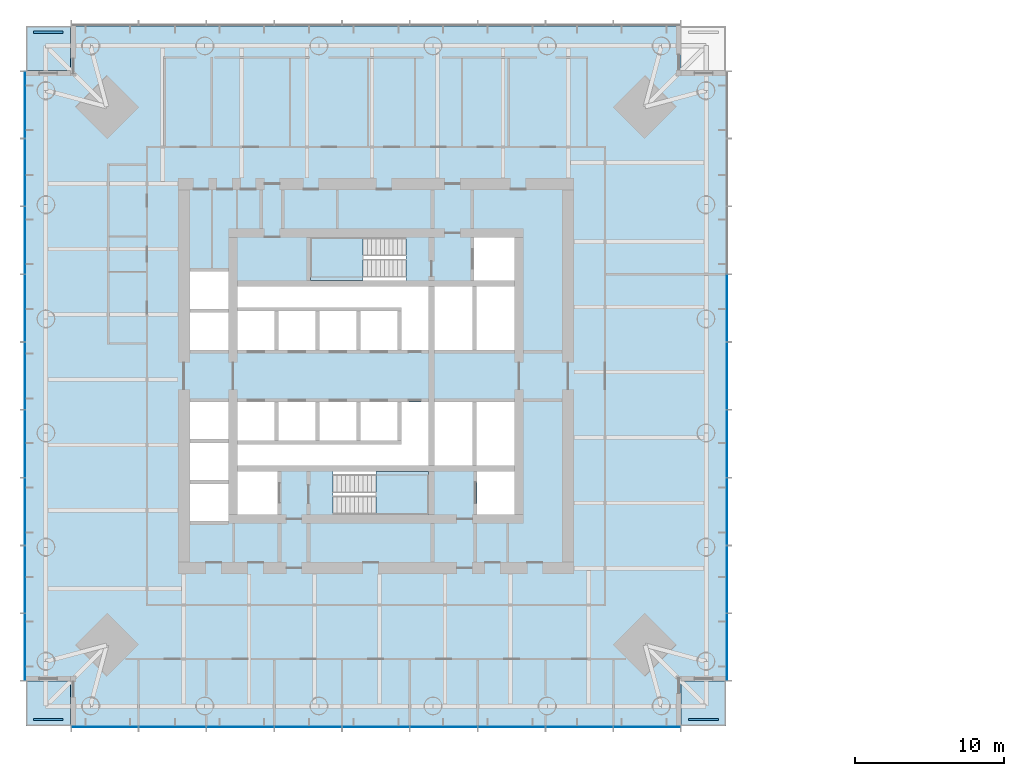
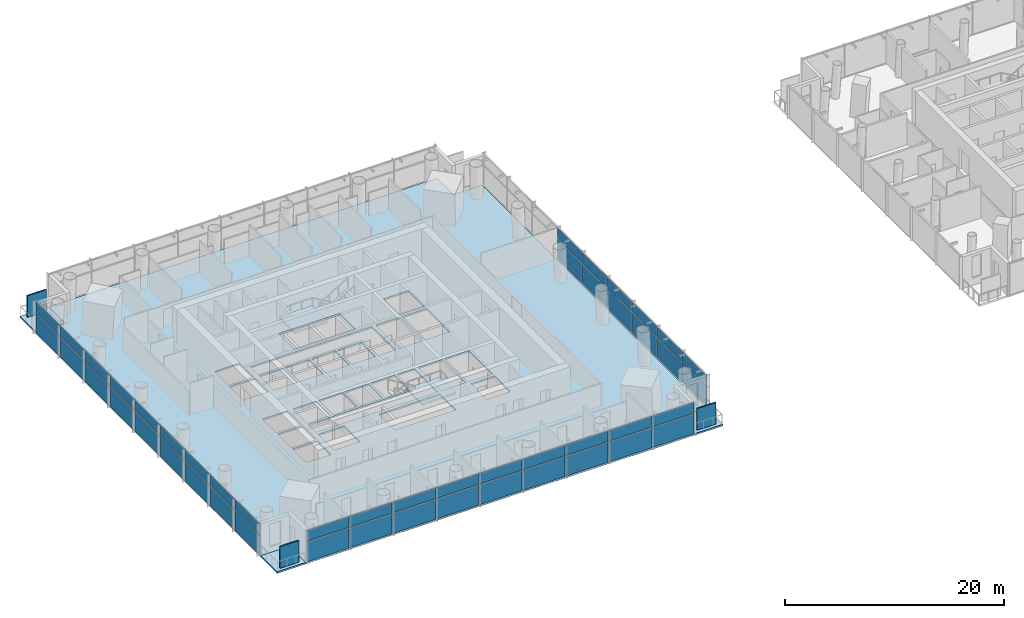
# One storey, part 9 of 24: 51 plates, 6 slabs, 8 elements without a shape of their own.
"""IFC4 building model written with IfcOpenShell, lengths in metres."""

from ifc_helpers import new_model, si_unit, direction, frame, origin, origin_2d, place, context, subcontext, project, spatial, polyline, rectangle, outline, extrude, material, layer, layer_set, type_object, element, aggregate, save


model = new_model("IFC4")

# Units and contexts
model_context = context("Model", 3, precision=1e-05, world=origin(), true_north=direction((0.0, 1.0)))
body_context = subcontext(model_context, "Body", "Model", "MODEL_VIEW")
ifc_project = project(units=[si_unit("LENGTHUNIT", "METRE"), si_unit("AREAUNIT", "SQUARE_METRE"), si_unit("VOLUMEUNIT", "CUBIC_METRE"), si_unit("PLANEANGLEUNIT", "RADIAN"), si_unit("MASSUNIT", "GRAM", prefix="KILO")], contexts=[model_context])

# Site, building, storey
site_placement = place(None, origin())
site = spatial("IfcSite", under=ifc_project, at=site_placement, CompositionType="ELEMENT")
building_placement = place(site_placement, origin())
building = spatial("IfcBuilding", under=site, at=building_placement, Name="Ostroluk Exchange", CompositionType="ELEMENT")
storey_placement = place(building_placement, frame((0.0, 0.0, 78.0)))
storey = spatial("IfcBuildingStorey", under=building, at=storey_placement, Name="L19", CompositionType="ELEMENT", Elevation=78.0)

# Slabs
ifc_material_1 = material(Name="Concrete C35/45", Category="concrete")
ifc_layer_1 = layer(ifc_material_1, 0.179931640625)
ifc_layer_set_1 = layer_set([ifc_layer_1], Name="Balcony slab 180")
slab_type_1 = type_object("IfcSlabType", Name="Balcony slab 180", PredefinedType="USERDEFINED", material=ifc_layer_set_1)
slab_1_placement = place(storey_placement, frame((0.0, 0.0, -0.179931640625)))
element("IfcSlab", 1, at=slab_1_placement, inside=storey, type_object=slab_type_1, Name="Office tower SE corner balcony L19", ObjectType="BALCONY", PredefinedType="USERDEFINED", context=body_context, shape_type="SweptSolid", body=[
    extrude(outline(polyline([(65.5, 22.5), (68.5, 22.5), (68.5, 25.5), (65.5, 25.5), (65.5, 22.5)])), origin(), (0.0, 0.0, 1.0), 0.179931640625),
])
slab_2_placement = place(storey_placement, frame((0.0, 0.0, -0.179931640625)))
element("IfcSlab", 2, at=slab_2_placement, inside=storey, type_object=slab_type_1, Name="Office tower NW corner balcony L19", ObjectType="BALCONY", PredefinedType="USERDEFINED", context=body_context, shape_type="SweptSolid", body=[
    extrude(outline(polyline([(21.5, 66.5), (24.5, 66.5), (24.5, 69.5), (21.5, 69.5), (21.5, 66.5)])), origin(), (0.0, 0.0, 1.0), 0.179931640625),
])
slab_3_placement = place(storey_placement, frame((0.0, 0.0, -0.179931640625)))
element("IfcSlab", 3, at=slab_3_placement, inside=storey, type_object=slab_type_1, Name="Office tower SW corner balcony L19", ObjectType="BALCONY", PredefinedType="USERDEFINED", context=body_context, shape_type="SweptSolid", body=[
    extrude(outline(polyline([(21.5, 22.5), (24.5, 22.5), (24.5, 25.5), (21.5, 25.5), (21.5, 22.5)])), origin(), (0.0, 0.0, 1.0), 0.179931640625),
])

# Curtain wall, plates
ifc_material_2 = material(Name="Laminated clear glass", Category="glass")
curtain_wall_type = type_object("IfcCurtainWallType", Name="Office tower facade", PredefinedType="USERDEFINED", material=ifc_material_2)
curtain_wall_1_placement = place(storey_placement, origin())
curtain_wall_1 = element("IfcCurtainWall", 4, at=curtain_wall_1_placement, inside=storey, type_object=curtain_wall_type, Name="Office tower south spandrel L19", ObjectType="UNITISED CURTAIN WALL", PredefinedType="USERDEFINED")
ifc_material_3 = material(Name="Insulated aluminium spandrel", Category="aluminium")
ifc_layer_2 = layer(ifc_material_3, 0.0439453125)
ifc_layer_set_2 = layer_set([ifc_layer_2], Name="Insulated spandrel panel 44")
plate_type_1 = type_object("IfcPlateType", Name="Insulated spandrel panel 44", PredefinedType="CURTAIN_PANEL", material=ifc_layer_set_2)
plate_1_placement = place(storey_placement, frame((26.7978515625, 22.425048828125, 2.3935546875), z_axis=(0.0, 0.0, 1.0), x_axis=(1.0, 0.0, 0.0)))
plate_1 = element("IfcPlate", 5, at=plate_1_placement, type_object=plate_type_1, Name="CW-O1 panel 1.1", PredefinedType="CURTAIN_PANEL", context=body_context, shape_type="SweptSolid", body=[
    extrude(rectangle(XDim=4.435546875, YDim=0.0439453125, at=origin_2d()), origin(), (0.0, 0.0, 1.0), 1.176513671875),
])
plate_2_placement = place(storey_placement, frame((31.333251953125, 22.425048828125, 2.3935546875), z_axis=(0.0, 0.0, 1.0), x_axis=(1.0, 0.0, 0.0)))
plate_2 = element("IfcPlate", 6, at=plate_2_placement, type_object=plate_type_1, Name="CW-O1 panel 2.1", PredefinedType="CURTAIN_PANEL", context=body_context, shape_type="SweptSolid", body=[
    extrude(rectangle(XDim=4.4755859375, YDim=0.0439453125, at=origin_2d()), origin(), (0.0, 0.0, 1.0), 1.176513671875),
])
plate_3_placement = place(storey_placement, frame((35.888916015625, 22.425048828125, 2.3935546875), z_axis=(0.0, 0.0, 1.0), x_axis=(1.0, 0.0, 0.0)))
plate_3 = element("IfcPlate", 7, at=plate_3_placement, type_object=plate_type_1, Name="CW-O1 panel 3.1", PredefinedType="CURTAIN_PANEL", context=body_context, shape_type="SweptSolid", body=[
    extrude(rectangle(XDim=4.4755859375, YDim=0.0439453125, at=origin_2d()), origin(), (0.0, 0.0, 1.0), 1.176513671875),
])
plate_4_placement = place(storey_placement, frame((40.4443359375, 22.425048828125, 2.3935546875), z_axis=(0.0, 0.0, 1.0), x_axis=(1.0, 0.0, 0.0)))
plate_4 = element("IfcPlate", 8, at=plate_4_placement, type_object=plate_type_1, Name="CW-O1 panel 4.1", PredefinedType="CURTAIN_PANEL", context=body_context, shape_type="SweptSolid", body=[
    extrude(rectangle(XDim=4.4755859375, YDim=0.0439453125, at=origin_2d()), origin(), (0.0, 0.0, 1.0), 1.176513671875),
])
plate_5_placement = place(storey_placement, frame((45.0, 22.425048828125, 2.3935546875), z_axis=(0.0, 0.0, 1.0), x_axis=(1.0, 0.0, 0.0)))
plate_5 = element("IfcPlate", 9, at=plate_5_placement, type_object=plate_type_1, Name="CW-O1 panel 5.1", PredefinedType="CURTAIN_PANEL", context=body_context, shape_type="SweptSolid", body=[
    extrude(rectangle(XDim=4.4755859375, YDim=0.0439453125, at=origin_2d()), origin(), (0.0, 0.0, 1.0), 1.176513671875),
])
plate_6_placement = place(storey_placement, frame((49.5556640625, 22.425048828125, 2.3935546875), z_axis=(0.0, 0.0, 1.0), x_axis=(1.0, 0.0, 0.0)))
plate_6 = element("IfcPlate", 10, at=plate_6_placement, type_object=plate_type_1, Name="CW-O1 panel 6.1", PredefinedType="CURTAIN_PANEL", context=body_context, shape_type="SweptSolid", body=[
    extrude(rectangle(XDim=4.4755859375, YDim=0.0439453125, at=origin_2d()), origin(), (0.0, 0.0, 1.0), 1.176513671875),
])
plate_7_placement = place(storey_placement, frame((54.111083984375, 22.425048828125, 2.3935546875), z_axis=(0.0, 0.0, 1.0), x_axis=(1.0, 0.0, 0.0)))
plate_7 = element("IfcPlate", 11, at=plate_7_placement, type_object=plate_type_1, Name="CW-O1 panel 7.1", PredefinedType="CURTAIN_PANEL", context=body_context, shape_type="SweptSolid", body=[
    extrude(rectangle(XDim=4.4755859375, YDim=0.0439453125, at=origin_2d()), origin(), (0.0, 0.0, 1.0), 1.176513671875),
])
plate_8_placement = place(storey_placement, frame((58.666748046875, 22.425048828125, 2.3935546875), z_axis=(0.0, 0.0, 1.0), x_axis=(1.0, 0.0, 0.0)))
plate_8 = element("IfcPlate", 12, at=plate_8_placement, type_object=plate_type_1, Name="CW-O1 panel 8.1", PredefinedType="CURTAIN_PANEL", context=body_context, shape_type="SweptSolid", body=[
    extrude(rectangle(XDim=4.4755859375, YDim=0.0439453125, at=origin_2d()), origin(), (0.0, 0.0, 1.0), 1.176513671875),
])
plate_9_placement = place(storey_placement, frame((63.2021484375, 22.425048828125, 2.3935546875), z_axis=(0.0, 0.0, 1.0), x_axis=(1.0, 0.0, 0.0)))
plate_9 = element("IfcPlate", 13, at=plate_9_placement, type_object=plate_type_1, Name="CW-O1 panel 9.1", PredefinedType="CURTAIN_PANEL", context=body_context, shape_type="SweptSolid", body=[
    extrude(rectangle(XDim=4.435546875, YDim=0.0439453125, at=origin_2d()), origin(), (0.0, 0.0, 1.0), 1.176513671875),
])
aggregate(curtain_wall_1, [plate_1, plate_2, plate_3, plate_4, plate_5, plate_6, plate_7, plate_8, plate_9])

curtain_wall_2_placement = place(storey_placement, origin())
curtain_wall_2 = element("IfcCurtainWall", 14, at=curtain_wall_2_placement, inside=storey, type_object=curtain_wall_type, Name="Office tower east spandrel L19", ObjectType="UNITISED CURTAIN WALL", PredefinedType="USERDEFINED")
plate_10_placement = place(storey_placement, frame((68.574951171875, 27.7978515625, 2.3935546875), z_axis=(0.0, 0.0, 1.0), x_axis=(0.0, 1.0, 0.0)))
plate_10 = element("IfcPlate", 15, at=plate_10_placement, type_object=plate_type_1, Name="CW-O1 panel 1.1", PredefinedType="CURTAIN_PANEL", context=body_context, shape_type="SweptSolid", body=[
    extrude(rectangle(XDim=4.435546875, YDim=0.0439453125, at=origin_2d()), origin(), (0.0, 0.0, 1.0), 1.176513671875),
])
plate_11_placement = place(storey_placement, frame((68.574951171875, 32.333251953125, 2.3935546875), z_axis=(0.0, 0.0, 1.0), x_axis=(0.0, 1.0, 0.0)))
plate_11 = element("IfcPlate", 16, at=plate_11_placement, type_object=plate_type_1, Name="CW-O1 panel 2.1", PredefinedType="CURTAIN_PANEL", context=body_context, shape_type="SweptSolid", body=[
    extrude(rectangle(XDim=4.4755859375, YDim=0.0439453125, at=origin_2d()), origin(), (0.0, 0.0, 1.0), 1.176513671875),
])
plate_12_placement = place(storey_placement, frame((68.574951171875, 36.888916015625, 2.3935546875), z_axis=(0.0, 0.0, 1.0), x_axis=(0.0, 1.0, 0.0)))
plate_12 = element("IfcPlate", 17, at=plate_12_placement, type_object=plate_type_1, Name="CW-O1 panel 3.1", PredefinedType="CURTAIN_PANEL", context=body_context, shape_type="SweptSolid", body=[
    extrude(rectangle(XDim=4.4755859375, YDim=0.0439453125, at=origin_2d()), origin(), (0.0, 0.0, 1.0), 1.176513671875),
])
plate_13_placement = place(storey_placement, frame((68.574951171875, 41.4443359375, 2.3935546875), z_axis=(0.0, 0.0, 1.0), x_axis=(0.0, 1.0, 0.0)))
plate_13 = element("IfcPlate", 18, at=plate_13_placement, type_object=plate_type_1, Name="CW-O1 panel 4.1", PredefinedType="CURTAIN_PANEL", context=body_context, shape_type="SweptSolid", body=[
    extrude(rectangle(XDim=4.4755859375, YDim=0.0439453125, at=origin_2d()), origin(), (0.0, 0.0, 1.0), 1.176513671875),
])
plate_14_placement = place(storey_placement, frame((68.574951171875, 46.0, 2.3935546875), z_axis=(0.0, 0.0, 1.0), x_axis=(0.0, 1.0, 0.0)))
plate_14 = element("IfcPlate", 19, at=plate_14_placement, type_object=plate_type_1, Name="CW-O1 panel 5.1", PredefinedType="CURTAIN_PANEL", context=body_context, shape_type="SweptSolid", body=[
    extrude(rectangle(XDim=4.4755859375, YDim=0.0439453125, at=origin_2d()), origin(), (0.0, 0.0, 1.0), 1.176513671875),
])
plate_15_placement = place(storey_placement, frame((68.574951171875, 50.5556640625, 2.3935546875), z_axis=(0.0, 0.0, 1.0), x_axis=(0.0, 1.0, 0.0)))
plate_15 = element("IfcPlate", 20, at=plate_15_placement, type_object=plate_type_1, Name="CW-O1 panel 6.1", PredefinedType="CURTAIN_PANEL", context=body_context, shape_type="SweptSolid", body=[
    extrude(rectangle(XDim=4.4755859375, YDim=0.0439453125, at=origin_2d()), origin(), (0.0, 0.0, 1.0), 1.176513671875),
])
aggregate(curtain_wall_2, [plate_10, plate_11, plate_12, plate_13, plate_14, plate_15])

curtain_wall_3_placement = place(storey_placement, origin())
curtain_wall_3 = element("IfcCurtainWall", 21, at=curtain_wall_3_placement, inside=storey, type_object=curtain_wall_type, Name="Office tower west spandrel L19", ObjectType="UNITISED CURTAIN WALL", PredefinedType="USERDEFINED")
plate_16_placement = place(storey_placement, frame((21.425048828125, 64.2021484375, 2.3935546875), z_axis=(0.0, 0.0, 1.0), x_axis=(0.0, -1.0, 0.0)))
plate_16 = element("IfcPlate", 22, at=plate_16_placement, type_object=plate_type_1, Name="CW-O1 panel 1.1", PredefinedType="CURTAIN_PANEL", context=body_context, shape_type="SweptSolid", body=[
    extrude(rectangle(XDim=4.435546875, YDim=0.0439453125, at=origin_2d()), origin(), (0.0, 0.0, 1.0), 1.176513671875),
])
plate_17_placement = place(storey_placement, frame((21.425048828125, 59.666748046875, 2.3935546875), z_axis=(0.0, 0.0, 1.0), x_axis=(0.0, -1.0, 0.0)))
plate_17 = element("IfcPlate", 23, at=plate_17_placement, type_object=plate_type_1, Name="CW-O1 panel 2.1", PredefinedType="CURTAIN_PANEL", context=body_context, shape_type="SweptSolid", body=[
    extrude(rectangle(XDim=4.4755859375, YDim=0.0439453125, at=origin_2d()), origin(), (0.0, 0.0, 1.0), 1.176513671875),
])
plate_18_placement = place(storey_placement, frame((21.425048828125, 55.111083984375, 2.3935546875), z_axis=(0.0, 0.0, 1.0), x_axis=(0.0, -1.0, 0.0)))
plate_18 = element("IfcPlate", 24, at=plate_18_placement, type_object=plate_type_1, Name="CW-O1 panel 3.1", PredefinedType="CURTAIN_PANEL", context=body_context, shape_type="SweptSolid", body=[
    extrude(rectangle(XDim=4.4755859375, YDim=0.0439453125, at=origin_2d()), origin(), (0.0, 0.0, 1.0), 1.176513671875),
])
plate_19_placement = place(storey_placement, frame((21.425048828125, 50.5556640625, 2.3935546875), z_axis=(0.0, 0.0, 1.0), x_axis=(0.0, -1.0, 0.0)))
plate_19 = element("IfcPlate", 25, at=plate_19_placement, type_object=plate_type_1, Name="CW-O1 panel 4.1", PredefinedType="CURTAIN_PANEL", context=body_context, shape_type="SweptSolid", body=[
    extrude(rectangle(XDim=4.4755859375, YDim=0.0439453125, at=origin_2d()), origin(), (0.0, 0.0, 1.0), 1.176513671875),
])
plate_20_placement = place(storey_placement, frame((21.425048828125, 46.0, 2.3935546875), z_axis=(0.0, 0.0, 1.0), x_axis=(0.0, -1.0, 0.0)))
plate_20 = element("IfcPlate", 26, at=plate_20_placement, type_object=plate_type_1, Name="CW-O1 panel 5.1", PredefinedType="CURTAIN_PANEL", context=body_context, shape_type="SweptSolid", body=[
    extrude(rectangle(XDim=4.4755859375, YDim=0.0439453125, at=origin_2d()), origin(), (0.0, 0.0, 1.0), 1.176513671875),
])
plate_21_placement = place(storey_placement, frame((21.425048828125, 41.4443359375, 2.3935546875), z_axis=(0.0, 0.0, 1.0), x_axis=(0.0, -1.0, 0.0)))
plate_21 = element("IfcPlate", 27, at=plate_21_placement, type_object=plate_type_1, Name="CW-O1 panel 6.1", PredefinedType="CURTAIN_PANEL", context=body_context, shape_type="SweptSolid", body=[
    extrude(rectangle(XDim=4.4755859375, YDim=0.0439453125, at=origin_2d()), origin(), (0.0, 0.0, 1.0), 1.176513671875),
])
plate_22_placement = place(storey_placement, frame((21.425048828125, 36.888916015625, 2.3935546875), z_axis=(0.0, 0.0, 1.0), x_axis=(0.0, -1.0, 0.0)))
plate_22 = element("IfcPlate", 28, at=plate_22_placement, type_object=plate_type_1, Name="CW-O1 panel 7.1", PredefinedType="CURTAIN_PANEL", context=body_context, shape_type="SweptSolid", body=[
    extrude(rectangle(XDim=4.4755859375, YDim=0.0439453125, at=origin_2d()), origin(), (0.0, 0.0, 1.0), 1.176513671875),
])
plate_23_placement = place(storey_placement, frame((21.425048828125, 32.333251953125, 2.3935546875), z_axis=(0.0, 0.0, 1.0), x_axis=(0.0, -1.0, 0.0)))
plate_23 = element("IfcPlate", 29, at=plate_23_placement, type_object=plate_type_1, Name="CW-O1 panel 8.1", PredefinedType="CURTAIN_PANEL", context=body_context, shape_type="SweptSolid", body=[
    extrude(rectangle(XDim=4.4755859375, YDim=0.0439453125, at=origin_2d()), origin(), (0.0, 0.0, 1.0), 1.176513671875),
])
plate_24_placement = place(storey_placement, frame((21.425048828125, 27.7978515625, 2.3935546875), z_axis=(0.0, 0.0, 1.0), x_axis=(0.0, -1.0, 0.0)))
plate_24 = element("IfcPlate", 30, at=plate_24_placement, type_object=plate_type_1, Name="CW-O1 panel 9.1", PredefinedType="CURTAIN_PANEL", context=body_context, shape_type="SweptSolid", body=[
    extrude(rectangle(XDim=4.435546875, YDim=0.0439453125, at=origin_2d()), origin(), (0.0, 0.0, 1.0), 1.176513671875),
])
aggregate(curtain_wall_3, [plate_16, plate_17, plate_18, plate_19, plate_20, plate_21, plate_22, plate_23, plate_24])

# Plates
ifc_material_4 = material(Name="Steel S355 trellis with planting", Category="steel")
ifc_layer_3 = layer(ifc_material_4, 0.14990234375)
ifc_layer_set_3 = layer_set([ifc_layer_3], Name="Planted screen 150")
plate_type_2 = type_object("IfcPlateType", Name="Planted screen 150", PredefinedType="USERDEFINED", material=ifc_layer_set_3)
for number, where, z_axis, x_axis, name in (
    (31, (67.0, 22.925048828125, 0.0), (0.0, 0.0, 1.0), (1.0, 0.0, 0.0), "Office tower SE planted screen L19"),
    (32, (23.0, 69.074951171875, 0.0), (0.0, 0.0, 1.0), (1.0, 0.0, 0.0), "Office tower NW planted screen L19"),
    (33, (23.0, 22.925048828125, 0.0), (0.0, 0.0, 1.0), (1.0, 0.0, 0.0), "Office tower SW planted screen L19"),
):
    element("IfcPlate", number, at=place(storey_placement, frame(where, z_axis=z_axis, x_axis=x_axis)), inside=storey, type_object=plate_type_2, Name=name, ObjectType="PLANTED SCREEN", PredefinedType="USERDEFINED", context=body_context, shape_type="SweptSolid", body=[
        extrude(rectangle(XDim=2.0, YDim=0.14990234375, at=origin_2d()), origin(), (0.0, 0.0, 1.0), 2.39990234375),
    ])

# Stair, slab
ifc_material_5 = material(Name="Concrete C30/37", Category="concrete")
stair_type = type_object("IfcStairType", Name="Exit stair half turn 3800", PredefinedType="HALF_TURN_STAIR", material=ifc_material_5)
stair_1_placement = place(storey_placement, origin())
stair_1 = element("IfcStair", 34, at=stair_1_placement, inside=storey, type_object=stair_type, Name="Stair T1-S1 L19", PredefinedType="HALF_TURN_STAIR")
ifc_material_6 = material(Name="Concrete C30/37", Category="concrete")
ifc_layer_4 = layer(ifc_material_6, 0.199951171875)
ifc_layer_set_4 = layer_set([ifc_layer_4], Name="Stair landing 200")
slab_type_2 = type_object("IfcSlabType", Name="Stair landing 200", PredefinedType="LANDING", material=ifc_layer_set_4)
slab_4_placement = place(storey_placement, frame((0.0, 0.0, 1.699951171875)))
slab_4 = element("IfcSlab", 35, at=slab_4_placement, type_object=slab_type_2, Name="T1-S1 landing 1", PredefinedType="LANDING", context=body_context, shape_type="SweptSolid", body=[
    extrude(outline(polyline([(45.0, 36.699951171875), (45.0, 39.60009765625), (48.530029296875, 39.60009765625), (48.530029296875, 36.699951171875), (45.0, 36.699951171875)])), origin(), (0.0, 0.0, 1.0), 0.199951171875),
])
aggregate(stair_1, [slab_4])

stair_2_placement = place(storey_placement, origin())
stair_2 = element("IfcStair", 36, at=stair_2_placement, inside=storey, type_object=stair_type, Name="Stair T1-S2 L19", PredefinedType="HALF_TURN_STAIR")
slab_5_placement = place(storey_placement, frame((0.0, 0.0, 1.699951171875)))
slab_5 = element("IfcSlab", 37, at=slab_5_placement, type_object=slab_type_2, Name="T1-S2 landing 1", PredefinedType="LANDING", context=body_context, shape_type="SweptSolid", body=[
    extrude(outline(polyline([(44.1298828125, 52.39990234375), (44.1298828125, 55.300048828125), (40.60009765625, 55.300048828125), (40.60009765625, 52.39990234375), (44.1298828125, 52.39990234375)])), origin(), (0.0, 0.0, 1.0), 0.199951171875),
])
aggregate(stair_2, [slab_5])

# Slab
ifc_material_7 = material(Name="Concrete C35/45", Category="concrete")
ifc_layer_5 = layer(ifc_material_7, 0.179931640625)
ifc_layer_set_5 = layer_set([ifc_layer_5], Name="Tower floor slab 180 composite")
slab_type_3 = type_object("IfcSlabType", Name="Tower floor slab 180 composite", PredefinedType="FLOOR", material=ifc_layer_set_5)
slab_6_placement = place(storey_placement, frame((0.0, 0.0, -0.179931640625)))
element("IfcSlab", 38, at=slab_6_placement, inside=storey, type_object=slab_type_3, Name="Office tower floor slab L19", PredefinedType="FLOOR", context=body_context, shape_type="SweptSolid", body=[
    extrude(outline(polyline([(24.5, 22.5), (65.5, 22.5), (65.5, 25.5), (68.5, 25.5), (68.5, 66.5), (65.5, 66.5), (65.5, 69.5), (24.5, 69.5), (24.5, 66.5), (21.5, 66.5), (21.5, 25.5), (24.5, 25.5), (24.5, 22.5)]), holes=[polyline([(35.699951171875, 36.699951171875), (38.39990234375, 36.699951171875), (38.39990234375, 39.60009765625), (35.699951171875, 39.60009765625), (35.699951171875, 36.699951171875)]), polyline([(42.110107421875, 36.699951171875), (48.530029296875, 36.699951171875), (48.530029296875, 39.60009765625), (42.110107421875, 39.60009765625), (42.110107421875, 36.699951171875)]), polyline([(51.800048828125, 36.699951171875), (54.300048828125, 36.699951171875), (54.300048828125, 39.60009765625), (51.800048828125, 39.60009765625), (51.800048828125, 36.699951171875)]), polyline([(40.60009765625, 52.39990234375), (47.02001953125, 52.39990234375), (47.02001953125, 55.300048828125), (40.60009765625, 55.300048828125), (40.60009765625, 52.39990234375)]), polyline([(51.60009765625, 52.39990234375), (54.300048828125, 52.39990234375), (54.300048828125, 55.300048828125), (51.60009765625, 55.300048828125), (51.60009765625, 52.39990234375)]), polyline([(35.699951171875, 47.75), (38.199951171875, 47.75), (38.199951171875, 50.35009765625), (35.699951171875, 50.35009765625), (35.699951171875, 47.75)]), polyline([(38.449951171875, 47.75), (40.949951171875, 47.75), (40.949951171875, 50.35009765625), (38.449951171875, 50.35009765625), (38.449951171875, 47.75)]), polyline([(41.199951171875, 47.75), (43.699951171875, 47.75), (43.699951171875, 50.35009765625), (41.199951171875, 50.35009765625), (41.199951171875, 47.75)]), polyline([(43.949951171875, 47.75), (46.449951171875, 47.75), (46.449951171875, 50.35009765625), (43.949951171875, 50.35009765625), (43.949951171875, 47.75)]), polyline([(35.699951171875, 41.64990234375), (38.199951171875, 41.64990234375), (38.199951171875, 44.25), (35.699951171875, 44.25), (35.699951171875, 41.64990234375)]), polyline([(38.449951171875, 41.64990234375), (40.949951171875, 41.64990234375), (40.949951171875, 44.25), (38.449951171875, 44.25), (38.449951171875, 41.64990234375)]), polyline([(41.199951171875, 41.64990234375), (43.699951171875, 41.64990234375), (43.699951171875, 44.25), (41.199951171875, 44.25), (41.199951171875, 41.64990234375)]), polyline([(43.949951171875, 41.64990234375), (46.449951171875, 41.64990234375), (46.449951171875, 44.25), (43.949951171875, 44.25), (43.949951171875, 41.64990234375)]), polyline([(48.929931640625, 47.75), (51.489990234375, 47.75), (51.489990234375, 52.0), (48.929931640625, 52.0), (48.929931640625, 47.75)]), polyline([(51.739990234375, 47.75), (54.300048828125, 47.75), (54.300048828125, 52.0), (51.739990234375, 52.0), (51.739990234375, 47.75)]), polyline([(48.929931640625, 40.0), (51.489990234375, 40.0), (51.489990234375, 44.25), (48.929931640625, 44.25), (48.929931640625, 40.0)]), polyline([(51.739990234375, 40.0), (54.300048828125, 40.0), (54.300048828125, 44.25), (51.739990234375, 44.25), (51.739990234375, 40.0)]), polyline([(48.530029296875, 52.0), (48.530029296875, 47.75), (46.699951171875, 47.75), (46.699951171875, 50.60009765625), (35.699951171875, 50.60009765625), (35.699951171875, 52.0), (48.530029296875, 52.0)]), polyline([(35.699951171875, 40.0), (35.699951171875, 41.39990234375), (46.699951171875, 41.39990234375), (46.699951171875, 44.25), (48.530029296875, 44.25), (48.530029296875, 40.0), (35.699951171875, 40.0)]), polyline([(32.5, 36.25), (35.10009765625, 36.25), (35.10009765625, 38.75), (32.5, 38.75), (32.5, 36.25)]), polyline([(32.5, 39.0), (35.10009765625, 39.0), (35.10009765625, 41.5), (32.5, 41.5), (32.5, 39.0)]), polyline([(32.5, 41.75), (35.10009765625, 41.75), (35.10009765625, 44.25), (32.5, 44.25), (32.5, 41.75)]), polyline([(32.5, 47.75), (35.10009765625, 47.75), (35.10009765625, 50.25), (32.5, 50.25), (32.5, 47.75)]), polyline([(32.5, 50.5), (35.10009765625, 50.5), (35.10009765625, 53.0), (32.5, 53.0), (32.5, 50.5)])]), origin(), (0.0, 0.0, 1.0), 0.179931640625),
])

# Curtain wall, plates
curtain_wall_4_placement = place(storey_placement, origin())
curtain_wall_4 = element("IfcCurtainWall", 39, at=curtain_wall_4_placement, inside=storey, type_object=curtain_wall_type, Name="Office tower south facade L19", ObjectType="UNITISED CURTAIN WALL", PredefinedType="USERDEFINED")
ifc_material_8 = material(Name="Laminated clear glass", Category="glass")
ifc_layer_6 = layer(ifc_material_8, 0.0439453125)
ifc_layer_set_6 = layer_set([ifc_layer_6], Name="Triple laminated clear glazing 44")
plate_type_3 = type_object("IfcPlateType", Name="Triple laminated clear glazing 44", PredefinedType="CURTAIN_PANEL", material=ifc_layer_set_6)
plate_25_placement = place(storey_placement, frame((26.7978515625, 22.425048828125, 0.080078125), z_axis=(0.0, 0.0, 1.0), x_axis=(1.0, 0.0, 0.0)))
plate_25 = element("IfcPlate", 40, at=plate_25_placement, type_object=plate_type_3, Name="CW-O1 panel 1.1", PredefinedType="CURTAIN_PANEL", context=body_context, shape_type="SweptSolid", body=[
    extrude(rectangle(XDim=4.435546875, YDim=0.0439453125, at=origin_2d()), origin(), (0.0, 0.0, 1.0), 2.2333984375),
])
plate_26_placement = place(storey_placement, frame((31.333251953125, 22.425048828125, 0.080078125), z_axis=(0.0, 0.0, 1.0), x_axis=(1.0, 0.0, 0.0)))
plate_26 = element("IfcPlate", 41, at=plate_26_placement, type_object=plate_type_3, Name="CW-O1 panel 2.1", PredefinedType="CURTAIN_PANEL", context=body_context, shape_type="SweptSolid", body=[
    extrude(rectangle(XDim=4.4755859375, YDim=0.0439453125, at=origin_2d()), origin(), (0.0, 0.0, 1.0), 2.2333984375),
])
plate_27_placement = place(storey_placement, frame((35.888916015625, 22.425048828125, 0.080078125), z_axis=(0.0, 0.0, 1.0), x_axis=(1.0, 0.0, 0.0)))
plate_27 = element("IfcPlate", 42, at=plate_27_placement, type_object=plate_type_3, Name="CW-O1 panel 3.1", PredefinedType="CURTAIN_PANEL", context=body_context, shape_type="SweptSolid", body=[
    extrude(rectangle(XDim=4.4755859375, YDim=0.0439453125, at=origin_2d()), origin(), (0.0, 0.0, 1.0), 2.2333984375),
])
plate_28_placement = place(storey_placement, frame((40.4443359375, 22.425048828125, 0.080078125), z_axis=(0.0, 0.0, 1.0), x_axis=(1.0, 0.0, 0.0)))
plate_28 = element("IfcPlate", 43, at=plate_28_placement, type_object=plate_type_3, Name="CW-O1 panel 4.1", PredefinedType="CURTAIN_PANEL", context=body_context, shape_type="SweptSolid", body=[
    extrude(rectangle(XDim=4.4755859375, YDim=0.0439453125, at=origin_2d()), origin(), (0.0, 0.0, 1.0), 2.2333984375),
])
plate_29_placement = place(storey_placement, frame((45.0, 22.425048828125, 0.080078125), z_axis=(0.0, 0.0, 1.0), x_axis=(1.0, 0.0, 0.0)))
plate_29 = element("IfcPlate", 44, at=plate_29_placement, type_object=plate_type_3, Name="CW-O1 panel 5.1", PredefinedType="CURTAIN_PANEL", context=body_context, shape_type="SweptSolid", body=[
    extrude(rectangle(XDim=4.4755859375, YDim=0.0439453125, at=origin_2d()), origin(), (0.0, 0.0, 1.0), 2.2333984375),
])
plate_30_placement = place(storey_placement, frame((49.5556640625, 22.425048828125, 0.080078125), z_axis=(0.0, 0.0, 1.0), x_axis=(1.0, 0.0, 0.0)))
plate_30 = element("IfcPlate", 45, at=plate_30_placement, type_object=plate_type_3, Name="CW-O1 panel 6.1", PredefinedType="CURTAIN_PANEL", context=body_context, shape_type="SweptSolid", body=[
    extrude(rectangle(XDim=4.4755859375, YDim=0.0439453125, at=origin_2d()), origin(), (0.0, 0.0, 1.0), 2.2333984375),
])
plate_31_placement = place(storey_placement, frame((54.111083984375, 22.425048828125, 0.080078125), z_axis=(0.0, 0.0, 1.0), x_axis=(1.0, 0.0, 0.0)))
plate_31 = element("IfcPlate", 46, at=plate_31_placement, type_object=plate_type_3, Name="CW-O1 panel 7.1", PredefinedType="CURTAIN_PANEL", context=body_context, shape_type="SweptSolid", body=[
    extrude(rectangle(XDim=4.4755859375, YDim=0.0439453125, at=origin_2d()), origin(), (0.0, 0.0, 1.0), 2.2333984375),
])
plate_32_placement = place(storey_placement, frame((58.666748046875, 22.425048828125, 0.080078125), z_axis=(0.0, 0.0, 1.0), x_axis=(1.0, 0.0, 0.0)))
plate_32 = element("IfcPlate", 47, at=plate_32_placement, type_object=plate_type_3, Name="CW-O1 panel 8.1", PredefinedType="CURTAIN_PANEL", context=body_context, shape_type="SweptSolid", body=[
    extrude(rectangle(XDim=4.4755859375, YDim=0.0439453125, at=origin_2d()), origin(), (0.0, 0.0, 1.0), 2.2333984375),
])
plate_33_placement = place(storey_placement, frame((63.2021484375, 22.425048828125, 0.080078125), z_axis=(0.0, 0.0, 1.0), x_axis=(1.0, 0.0, 0.0)))
plate_33 = element("IfcPlate", 48, at=plate_33_placement, type_object=plate_type_3, Name="CW-O1 panel 9.1", PredefinedType="CURTAIN_PANEL", context=body_context, shape_type="SweptSolid", body=[
    extrude(rectangle(XDim=4.435546875, YDim=0.0439453125, at=origin_2d()), origin(), (0.0, 0.0, 1.0), 2.2333984375),
])
aggregate(curtain_wall_4, [plate_25, plate_26, plate_27, plate_28, plate_29, plate_30, plate_31, plate_32, plate_33])

curtain_wall_5_placement = place(storey_placement, origin())
curtain_wall_5 = element("IfcCurtainWall", 49, at=curtain_wall_5_placement, inside=storey, type_object=curtain_wall_type, Name="Office tower east facade L19", ObjectType="UNITISED CURTAIN WALL", PredefinedType="USERDEFINED")
plate_34_placement = place(storey_placement, frame((68.574951171875, 27.7978515625, 0.080078125), z_axis=(0.0, 0.0, 1.0), x_axis=(0.0, 1.0, 0.0)))
plate_34 = element("IfcPlate", 50, at=plate_34_placement, type_object=plate_type_3, Name="CW-O1 panel 1.1", PredefinedType="CURTAIN_PANEL", context=body_context, shape_type="SweptSolid", body=[
    extrude(rectangle(XDim=4.435546875, YDim=0.0439453125, at=origin_2d()), origin(), (0.0, 0.0, 1.0), 2.2333984375),
])
plate_35_placement = place(storey_placement, frame((68.574951171875, 32.333251953125, 0.080078125), z_axis=(0.0, 0.0, 1.0), x_axis=(0.0, 1.0, 0.0)))
plate_35 = element("IfcPlate", 51, at=plate_35_placement, type_object=plate_type_3, Name="CW-O1 panel 2.1", PredefinedType="CURTAIN_PANEL", context=body_context, shape_type="SweptSolid", body=[
    extrude(rectangle(XDim=4.4755859375, YDim=0.0439453125, at=origin_2d()), origin(), (0.0, 0.0, 1.0), 2.2333984375),
])
plate_36_placement = place(storey_placement, frame((68.574951171875, 36.888916015625, 0.080078125), z_axis=(0.0, 0.0, 1.0), x_axis=(0.0, 1.0, 0.0)))
plate_36 = element("IfcPlate", 52, at=plate_36_placement, type_object=plate_type_3, Name="CW-O1 panel 3.1", PredefinedType="CURTAIN_PANEL", context=body_context, shape_type="SweptSolid", body=[
    extrude(rectangle(XDim=4.4755859375, YDim=0.0439453125, at=origin_2d()), origin(), (0.0, 0.0, 1.0), 2.2333984375),
])
plate_37_placement = place(storey_placement, frame((68.574951171875, 41.4443359375, 0.080078125), z_axis=(0.0, 0.0, 1.0), x_axis=(0.0, 1.0, 0.0)))
plate_37 = element("IfcPlate", 53, at=plate_37_placement, type_object=plate_type_3, Name="CW-O1 panel 4.1", PredefinedType="CURTAIN_PANEL", context=body_context, shape_type="SweptSolid", body=[
    extrude(rectangle(XDim=4.4755859375, YDim=0.0439453125, at=origin_2d()), origin(), (0.0, 0.0, 1.0), 2.2333984375),
])
plate_38_placement = place(storey_placement, frame((68.574951171875, 46.0, 0.080078125), z_axis=(0.0, 0.0, 1.0), x_axis=(0.0, 1.0, 0.0)))
plate_38 = element("IfcPlate", 54, at=plate_38_placement, type_object=plate_type_3, Name="CW-O1 panel 5.1", PredefinedType="CURTAIN_PANEL", context=body_context, shape_type="SweptSolid", body=[
    extrude(rectangle(XDim=4.4755859375, YDim=0.0439453125, at=origin_2d()), origin(), (0.0, 0.0, 1.0), 2.2333984375),
])
plate_39_placement = place(storey_placement, frame((68.574951171875, 50.5556640625, 0.080078125), z_axis=(0.0, 0.0, 1.0), x_axis=(0.0, 1.0, 0.0)))
plate_39 = element("IfcPlate", 55, at=plate_39_placement, type_object=plate_type_3, Name="CW-O1 panel 6.1", PredefinedType="CURTAIN_PANEL", context=body_context, shape_type="SweptSolid", body=[
    extrude(rectangle(XDim=4.4755859375, YDim=0.0439453125, at=origin_2d()), origin(), (0.0, 0.0, 1.0), 2.2333984375),
])
aggregate(curtain_wall_5, [plate_34, plate_35, plate_36, plate_37, plate_38, plate_39])

curtain_wall_6_placement = place(storey_placement, origin())
curtain_wall_6 = element("IfcCurtainWall", 56, at=curtain_wall_6_placement, inside=storey, type_object=curtain_wall_type, Name="Office tower west facade L19", ObjectType="UNITISED CURTAIN WALL", PredefinedType="USERDEFINED")
plate_40_placement = place(storey_placement, frame((21.425048828125, 64.2021484375, 0.080078125), z_axis=(0.0, 0.0, 1.0), x_axis=(0.0, -1.0, 0.0)))
plate_40 = element("IfcPlate", 57, at=plate_40_placement, type_object=plate_type_3, Name="CW-O1 panel 1.1", PredefinedType="CURTAIN_PANEL", context=body_context, shape_type="SweptSolid", body=[
    extrude(rectangle(XDim=4.435546875, YDim=0.0439453125, at=origin_2d()), origin(), (0.0, 0.0, 1.0), 2.2333984375),
])
plate_41_placement = place(storey_placement, frame((21.425048828125, 59.666748046875, 0.080078125), z_axis=(0.0, 0.0, 1.0), x_axis=(0.0, -1.0, 0.0)))
plate_41 = element("IfcPlate", 58, at=plate_41_placement, type_object=plate_type_3, Name="CW-O1 panel 2.1", PredefinedType="CURTAIN_PANEL", context=body_context, shape_type="SweptSolid", body=[
    extrude(rectangle(XDim=4.4755859375, YDim=0.0439453125, at=origin_2d()), origin(), (0.0, 0.0, 1.0), 2.2333984375),
])
plate_42_placement = place(storey_placement, frame((21.425048828125, 55.111083984375, 0.080078125), z_axis=(0.0, 0.0, 1.0), x_axis=(0.0, -1.0, 0.0)))
plate_42 = element("IfcPlate", 59, at=plate_42_placement, type_object=plate_type_3, Name="CW-O1 panel 3.1", PredefinedType="CURTAIN_PANEL", context=body_context, shape_type="SweptSolid", body=[
    extrude(rectangle(XDim=4.4755859375, YDim=0.0439453125, at=origin_2d()), origin(), (0.0, 0.0, 1.0), 2.2333984375),
])
plate_43_placement = place(storey_placement, frame((21.425048828125, 50.5556640625, 0.080078125), z_axis=(0.0, 0.0, 1.0), x_axis=(0.0, -1.0, 0.0)))
plate_43 = element("IfcPlate", 60, at=plate_43_placement, type_object=plate_type_3, Name="CW-O1 panel 4.1", PredefinedType="CURTAIN_PANEL", context=body_context, shape_type="SweptSolid", body=[
    extrude(rectangle(XDim=4.4755859375, YDim=0.0439453125, at=origin_2d()), origin(), (0.0, 0.0, 1.0), 2.2333984375),
])
plate_44_placement = place(storey_placement, frame((21.425048828125, 46.0, 0.080078125), z_axis=(0.0, 0.0, 1.0), x_axis=(0.0, -1.0, 0.0)))
plate_44 = element("IfcPlate", 61, at=plate_44_placement, type_object=plate_type_3, Name="CW-O1 panel 5.1", PredefinedType="CURTAIN_PANEL", context=body_context, shape_type="SweptSolid", body=[
    extrude(rectangle(XDim=4.4755859375, YDim=0.0439453125, at=origin_2d()), origin(), (0.0, 0.0, 1.0), 2.2333984375),
])
plate_45_placement = place(storey_placement, frame((21.425048828125, 41.4443359375, 0.080078125), z_axis=(0.0, 0.0, 1.0), x_axis=(0.0, -1.0, 0.0)))
plate_45 = element("IfcPlate", 62, at=plate_45_placement, type_object=plate_type_3, Name="CW-O1 panel 6.1", PredefinedType="CURTAIN_PANEL", context=body_context, shape_type="SweptSolid", body=[
    extrude(rectangle(XDim=4.4755859375, YDim=0.0439453125, at=origin_2d()), origin(), (0.0, 0.0, 1.0), 2.2333984375),
])
plate_46_placement = place(storey_placement, frame((21.425048828125, 36.888916015625, 0.080078125), z_axis=(0.0, 0.0, 1.0), x_axis=(0.0, -1.0, 0.0)))
plate_46 = element("IfcPlate", 63, at=plate_46_placement, type_object=plate_type_3, Name="CW-O1 panel 7.1", PredefinedType="CURTAIN_PANEL", context=body_context, shape_type="SweptSolid", body=[
    extrude(rectangle(XDim=4.4755859375, YDim=0.0439453125, at=origin_2d()), origin(), (0.0, 0.0, 1.0), 2.2333984375),
])
plate_47_placement = place(storey_placement, frame((21.425048828125, 32.333251953125, 0.080078125), z_axis=(0.0, 0.0, 1.0), x_axis=(0.0, -1.0, 0.0)))
plate_47 = element("IfcPlate", 64, at=plate_47_placement, type_object=plate_type_3, Name="CW-O1 panel 8.1", PredefinedType="CURTAIN_PANEL", context=body_context, shape_type="SweptSolid", body=[
    extrude(rectangle(XDim=4.4755859375, YDim=0.0439453125, at=origin_2d()), origin(), (0.0, 0.0, 1.0), 2.2333984375),
])
plate_48_placement = place(storey_placement, frame((21.425048828125, 27.7978515625, 0.080078125), z_axis=(0.0, 0.0, 1.0), x_axis=(0.0, -1.0, 0.0)))
plate_48 = element("IfcPlate", 65, at=plate_48_placement, type_object=plate_type_3, Name="CW-O1 panel 9.1", PredefinedType="CURTAIN_PANEL", context=body_context, shape_type="SweptSolid", body=[
    extrude(rectangle(XDim=4.435546875, YDim=0.0439453125, at=origin_2d()), origin(), (0.0, 0.0, 1.0), 2.2333984375),
])
aggregate(curtain_wall_6, [plate_40, plate_41, plate_42, plate_43, plate_44, plate_45, plate_46, plate_47, plate_48])

save(model, "model.ifc")
